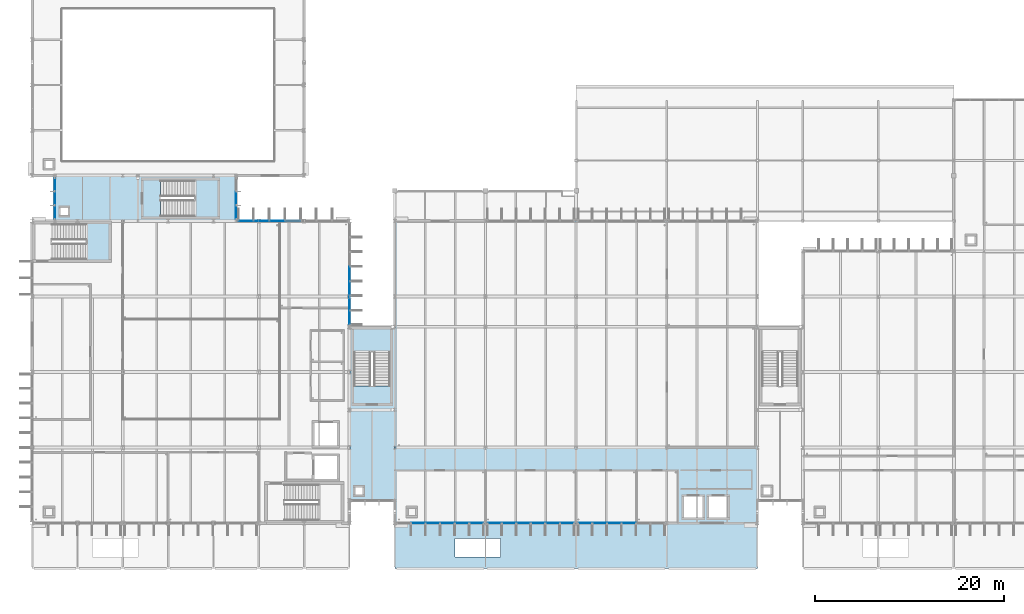
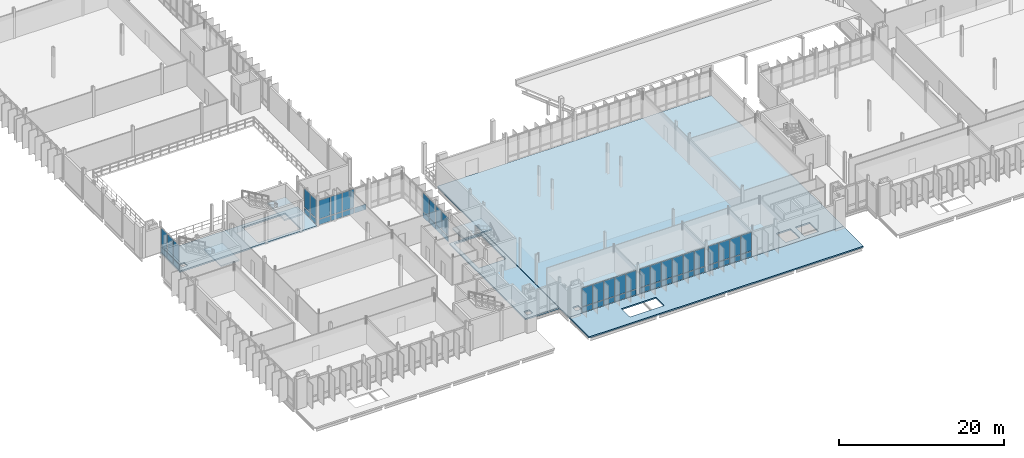
# One storey, part 47 of 107: 55 plates, 7 slabs, 10 elements without a shape of their own.
"""IFC4 building model written with IfcOpenShell, lengths in metres."""

from ifc_helpers import new_model, si_unit, direction, frame, origin, origin_2d, place, context, subcontext, project, spatial, polyline, rectangle, outline, extrude, material, layer, layer_set, type_object, element, aggregate, save


model = new_model("IFC4")

# Units and contexts
model_context = context("Model", 3, precision=1e-05, world=origin(), true_north=direction((0.0, 1.0)))
body_context = subcontext(model_context, "Body", "Model", "MODEL_VIEW")
ifc_project = project(units=[si_unit("LENGTHUNIT", "METRE"), si_unit("AREAUNIT", "SQUARE_METRE"), si_unit("VOLUMEUNIT", "CUBIC_METRE"), si_unit("PLANEANGLEUNIT", "RADIAN"), si_unit("MASSUNIT", "GRAM", prefix="KILO")], contexts=[model_context])

# Site, building, storey
site_placement = place(None, origin())
site = spatial("IfcSite", under=ifc_project, at=site_placement, CompositionType="ELEMENT")
building_placement = place(site_placement, origin())
building = spatial("IfcBuilding", under=site, at=building_placement, Name="Dunescarp Central Library", CompositionType="ELEMENT")
storey_placement = place(building_placement, frame((0.0, 0.0, 5.10009765625)))
storey = spatial("IfcBuildingStorey", under=building, at=storey_placement, Name="L01", CompositionType="ELEMENT", Elevation=5.10009765625)

# Curtain wall, plates
ifc_material_1 = material(Name="Marine-grade anodised aluminium 6063-T6", Category="aluminium")
curtain_wall_type_1 = type_object("IfcCurtainWallType", Name="ARC-CW-STICK", PredefinedType="NOTDEFINED", material=ifc_material_1)
curtain_wall_1_placement = place(storey_placement, origin())
curtain_wall_1 = element("IfcCurtainWall", 1, at=curtain_wall_1_placement, inside=storey, type_object=curtain_wall_type_1, Name="L01 curtain wall CW-V1-008", PredefinedType="NOTDEFINED")
ifc_material_2 = material(Name="Solar-control laminated double glazing", Category="glass")
ifc_layer_1 = layer(ifc_material_2, 0.028076171875)
ifc_layer_set_1 = layer_set([ifc_layer_1], Name="Solar-control laminated double glazing")
plate_type_1 = type_object("IfcPlateType", Name="ARC-PLT-GLZ28", PredefinedType="CURTAIN_PANEL", material=ifc_layer_set_1)
plate_1_placement = place(storey_placement, frame((22.627197265625, 36.800048828125, 0.93994140625), z_axis=(0.0, 0.0, 1.0), x_axis=(1.0, 0.0, 0.0)))
plate_1 = element("IfcPlate", 2, at=plate_1_placement, type_object=plate_type_1, Name="CW-V1-008 panel 1.2", PredefinedType="CURTAIN_PANEL", context=body_context, shape_type="SweptSolid", body=[
    extrude(rectangle(XDim=1.544189453125, YDim=0.028076171875, at=origin_2d()), origin(), (0.0, 0.0, 1.0), 2.7451171875),
])
plate_2_placement = place(storey_placement, frame((24.271484375, 36.800048828125, 0.93994140625), z_axis=(0.0, 0.0, 1.0), x_axis=(1.0, 0.0, 0.0)))
plate_2 = element("IfcPlate", 3, at=plate_2_placement, type_object=plate_type_1, Name="CW-V1-008 panel 2.2", PredefinedType="CURTAIN_PANEL", context=body_context, shape_type="SweptSolid", body=[
    extrude(rectangle(XDim=1.584228515625, YDim=0.028076171875, at=origin_2d()), origin(), (0.0, 0.0, 1.0), 2.7451171875),
])
plate_3_placement = place(storey_placement, frame((25.935791015625, 36.800048828125, 0.93994140625), z_axis=(0.0, 0.0, 1.0), x_axis=(1.0, 0.0, 0.0)))
plate_3 = element("IfcPlate", 4, at=plate_3_placement, type_object=plate_type_1, Name="CW-V1-008 panel 3.2", PredefinedType="CURTAIN_PANEL", context=body_context, shape_type="SweptSolid", body=[
    extrude(rectangle(XDim=1.584228515625, YDim=0.028076171875, at=origin_2d()), origin(), (0.0, 0.0, 1.0), 2.7451171875),
])

curtain_wall_2_placement = place(storey_placement, origin())
curtain_wall_2 = element("IfcCurtainWall", 5, at=curtain_wall_2_placement, inside=storey, type_object=curtain_wall_type_1, Name="L01 curtain wall CW-V1-011", PredefinedType="NOTDEFINED")
plate_4_placement = place(storey_placement, frame((33.60009765625, 31.199951171875, 0.93994140625), z_axis=(0.0, 0.0, 1.0), x_axis=(0.0, -1.0, 0.0)))
plate_4 = element("IfcPlate", 6, at=plate_4_placement, type_object=plate_type_1, Name="CW-V1-011 panel 4.2", PredefinedType="CURTAIN_PANEL", context=body_context, shape_type="SweptSolid", body=[
    extrude(rectangle(XDim=1.469970703125, YDim=0.028076171875, at=origin_2d()), origin(), (0.0, 0.0, 1.0), 2.7451171875),
])
plate_5_placement = place(storey_placement, frame((33.60009765625, 29.64990234375, 0.93994140625), z_axis=(0.0, 0.0, 1.0), x_axis=(0.0, -1.0, 0.0)))
plate_5 = element("IfcPlate", 7, at=plate_5_placement, type_object=plate_type_1, Name="CW-V1-011 panel 5.2", PredefinedType="CURTAIN_PANEL", context=body_context, shape_type="SweptSolid", body=[
    extrude(rectangle(XDim=1.469970703125, YDim=0.028076171875, at=origin_2d()), origin(), (0.0, 0.0, 1.0), 2.7451171875),
])
plate_6_placement = place(storey_placement, frame((33.60009765625, 28.10009765625, 0.93994140625), z_axis=(0.0, 0.0, 1.0), x_axis=(0.0, -1.0, 0.0)))
plate_6 = element("IfcPlate", 8, at=plate_6_placement, type_object=plate_type_1, Name="CW-V1-011 panel 6.2", PredefinedType="CURTAIN_PANEL", context=body_context, shape_type="SweptSolid", body=[
    extrude(rectangle(XDim=1.469970703125, YDim=0.028076171875, at=origin_2d()), origin(), (0.0, 0.0, 1.0), 2.7451171875),
])
plate_7_placement = place(storey_placement, frame((33.60009765625, 26.570068359375, 0.93994140625), z_axis=(0.0, 0.0, 1.0), x_axis=(0.0, -1.0, 0.0)))
plate_7 = element("IfcPlate", 9, at=plate_7_placement, type_object=plate_type_1, Name="CW-V1-011 panel 7.2", PredefinedType="CURTAIN_PANEL", context=body_context, shape_type="SweptSolid", body=[
    extrude(rectangle(XDim=1.429931640625, YDim=0.028076171875, at=origin_2d()), origin(), (0.0, 0.0, 1.0), 2.7451171875),
])

curtain_wall_3_placement = place(storey_placement, origin())
curtain_wall_3 = element("IfcCurtainWall", 10, at=curtain_wall_3_placement, inside=storey, type_object=curtain_wall_type_1, Name="L01 curtain wall CW-V2-048", PredefinedType="NOTDEFINED")
plate_8_placement = place(storey_placement, frame((47.0341796875, 4.800048828125, 0.93994140625), z_axis=(0.0, 0.0, 1.0), x_axis=(-1.0, 0.0, 0.0)))
plate_8 = element("IfcPlate", 11, at=plate_8_placement, type_object=plate_type_1, Name="CW-V2-048 panel 1.2", PredefinedType="CURTAIN_PANEL", context=body_context, shape_type="SweptSolid", body=[
    extrude(rectangle(XDim=1.421630859375, YDim=0.028076171875, at=origin_2d()), origin(), (0.0, 0.0, 1.0), 2.7451171875),
])
plate_9_placement = place(storey_placement, frame((45.512451171875, 4.800048828125, 0.93994140625), z_axis=(0.0, 0.0, 1.0), x_axis=(-1.0, 0.0, 0.0)))
plate_9 = element("IfcPlate", 12, at=plate_9_placement, type_object=plate_type_1, Name="CW-V2-048 panel 2.2", PredefinedType="CURTAIN_PANEL", context=body_context, shape_type="SweptSolid", body=[
    extrude(rectangle(XDim=1.461669921875, YDim=0.028076171875, at=origin_2d()), origin(), (0.0, 0.0, 1.0), 2.7451171875),
])
plate_10_placement = place(storey_placement, frame((43.970947265625, 4.800048828125, 0.93994140625), z_axis=(0.0, 0.0, 1.0), x_axis=(-1.0, 0.0, 0.0)))
plate_10 = element("IfcPlate", 13, at=plate_10_placement, type_object=plate_type_1, Name="CW-V2-048 panel 3.2", PredefinedType="CURTAIN_PANEL", context=body_context, shape_type="SweptSolid", body=[
    extrude(rectangle(XDim=1.461669921875, YDim=0.028076171875, at=origin_2d()), origin(), (0.0, 0.0, 1.0), 2.7451171875),
])
plate_11_placement = place(storey_placement, frame((42.42919921875, 4.800048828125, 0.93994140625), z_axis=(0.0, 0.0, 1.0), x_axis=(-1.0, 0.0, 0.0)))
plate_11 = element("IfcPlate", 14, at=plate_11_placement, type_object=plate_type_1, Name="CW-V2-048 panel 4.2", PredefinedType="CURTAIN_PANEL", context=body_context, shape_type="SweptSolid", body=[
    extrude(rectangle(XDim=1.461669921875, YDim=0.028076171875, at=origin_2d()), origin(), (0.0, 0.0, 1.0), 2.7451171875),
])
plate_12_placement = place(storey_placement, frame((40.887451171875, 4.800048828125, 0.93994140625), z_axis=(0.0, 0.0, 1.0), x_axis=(-1.0, 0.0, 0.0)))
plate_12 = element("IfcPlate", 15, at=plate_12_placement, type_object=plate_type_1, Name="CW-V2-048 panel 5.2", PredefinedType="CURTAIN_PANEL", context=body_context, shape_type="SweptSolid", body=[
    extrude(rectangle(XDim=1.461669921875, YDim=0.028076171875, at=origin_2d()), origin(), (0.0, 0.0, 1.0), 2.7451171875),
])

curtain_wall_4_placement = place(storey_placement, origin())
curtain_wall_4 = element("IfcCurtainWall", 16, at=curtain_wall_4_placement, inside=storey, type_object=curtain_wall_type_1, Name="L01 curtain wall CW-V2-049", PredefinedType="NOTDEFINED")
plate_13_placement = place(storey_placement, frame((56.63427734375, 4.800048828125, 0.93994140625), z_axis=(0.0, 0.0, 1.0), x_axis=(-1.0, 0.0, 0.0)))
plate_13 = element("IfcPlate", 17, at=plate_13_placement, type_object=plate_type_1, Name="CW-V2-049 panel 1.2", PredefinedType="CURTAIN_PANEL", context=body_context, shape_type="SweptSolid", body=[
    extrude(rectangle(XDim=1.421630859375, YDim=0.028076171875, at=origin_2d()), origin(), (0.0, 0.0, 1.0), 2.7451171875),
])
plate_14_placement = place(storey_placement, frame((55.112548828125, 4.800048828125, 0.93994140625), z_axis=(0.0, 0.0, 1.0), x_axis=(-1.0, 0.0, 0.0)))
plate_14 = element("IfcPlate", 18, at=plate_14_placement, type_object=plate_type_1, Name="CW-V2-049 panel 2.2", PredefinedType="CURTAIN_PANEL", context=body_context, shape_type="SweptSolid", body=[
    extrude(rectangle(XDim=1.461669921875, YDim=0.028076171875, at=origin_2d()), origin(), (0.0, 0.0, 1.0), 2.7451171875),
])
plate_15_placement = place(storey_placement, frame((53.57080078125, 4.800048828125, 0.93994140625), z_axis=(0.0, 0.0, 1.0), x_axis=(-1.0, 0.0, 0.0)))
plate_15 = element("IfcPlate", 19, at=plate_15_placement, type_object=plate_type_1, Name="CW-V2-049 panel 3.2", PredefinedType="CURTAIN_PANEL", context=body_context, shape_type="SweptSolid", body=[
    extrude(rectangle(XDim=1.461669921875, YDim=0.028076171875, at=origin_2d()), origin(), (0.0, 0.0, 1.0), 2.7451171875),
])
plate_16_placement = place(storey_placement, frame((52.029052734375, 4.800048828125, 0.93994140625), z_axis=(0.0, 0.0, 1.0), x_axis=(-1.0, 0.0, 0.0)))
plate_16 = element("IfcPlate", 20, at=plate_16_placement, type_object=plate_type_1, Name="CW-V2-049 panel 4.2", PredefinedType="CURTAIN_PANEL", context=body_context, shape_type="SweptSolid", body=[
    extrude(rectangle(XDim=1.461669921875, YDim=0.028076171875, at=origin_2d()), origin(), (0.0, 0.0, 1.0), 2.7451171875),
])
plate_17_placement = place(storey_placement, frame((50.487548828125, 4.800048828125, 0.93994140625), z_axis=(0.0, 0.0, 1.0), x_axis=(-1.0, 0.0, 0.0)))
plate_17 = element("IfcPlate", 21, at=plate_17_placement, type_object=plate_type_1, Name="CW-V2-049 panel 5.2", PredefinedType="CURTAIN_PANEL", context=body_context, shape_type="SweptSolid", body=[
    extrude(rectangle(XDim=1.461669921875, YDim=0.028076171875, at=origin_2d()), origin(), (0.0, 0.0, 1.0), 2.7451171875),
])
plate_18_placement = place(storey_placement, frame((48.9658203125, 4.800048828125, 0.93994140625), z_axis=(0.0, 0.0, 1.0), x_axis=(-1.0, 0.0, 0.0)))
plate_18 = element("IfcPlate", 22, at=plate_18_placement, type_object=plate_type_1, Name="CW-V2-049 panel 6.2", PredefinedType="CURTAIN_PANEL", context=body_context, shape_type="SweptSolid", body=[
    extrude(rectangle(XDim=1.421630859375, YDim=0.028076171875, at=origin_2d()), origin(), (0.0, 0.0, 1.0), 2.7451171875),
])

curtain_wall_5_placement = place(storey_placement, origin())
curtain_wall_5 = element("IfcCurtainWall", 23, at=curtain_wall_5_placement, inside=storey, type_object=curtain_wall_type_1, Name="L01 curtain wall CW-V2-050", PredefinedType="NOTDEFINED")
plate_19_placement = place(storey_placement, frame((63.1708984375, 4.800048828125, 0.93994140625), z_axis=(0.0, 0.0, 1.0), x_axis=(-1.0, 0.0, 0.0)))
plate_19 = element("IfcPlate", 24, at=plate_19_placement, type_object=plate_type_1, Name="CW-V2-050 panel 3.2", PredefinedType="CURTAIN_PANEL", context=body_context, shape_type="SweptSolid", body=[
    extrude(rectangle(XDim=1.461669921875, YDim=0.028076171875, at=origin_2d()), origin(), (0.0, 0.0, 1.0), 2.7451171875),
])
plate_20_placement = place(storey_placement, frame((61.629150390625, 4.800048828125, 0.93994140625), z_axis=(0.0, 0.0, 1.0), x_axis=(-1.0, 0.0, 0.0)))
plate_20 = element("IfcPlate", 25, at=plate_20_placement, type_object=plate_type_1, Name="CW-V2-050 panel 4.2", PredefinedType="CURTAIN_PANEL", context=body_context, shape_type="SweptSolid", body=[
    extrude(rectangle(XDim=1.461669921875, YDim=0.028076171875, at=origin_2d()), origin(), (0.0, 0.0, 1.0), 2.7451171875),
])
plate_21_placement = place(storey_placement, frame((60.08740234375, 4.800048828125, 0.93994140625), z_axis=(0.0, 0.0, 1.0), x_axis=(-1.0, 0.0, 0.0)))
plate_21 = element("IfcPlate", 26, at=plate_21_placement, type_object=plate_type_1, Name="CW-V2-050 panel 5.2", PredefinedType="CURTAIN_PANEL", context=body_context, shape_type="SweptSolid", body=[
    extrude(rectangle(XDim=1.461669921875, YDim=0.028076171875, at=origin_2d()), origin(), (0.0, 0.0, 1.0), 2.7451171875),
])
plate_22_placement = place(storey_placement, frame((58.56591796875, 4.800048828125, 0.93994140625), z_axis=(0.0, 0.0, 1.0), x_axis=(-1.0, 0.0, 0.0)))
plate_22 = element("IfcPlate", 27, at=plate_22_placement, type_object=plate_type_1, Name="CW-V2-050 panel 6.2", PredefinedType="CURTAIN_PANEL", context=body_context, shape_type="SweptSolid", body=[
    extrude(rectangle(XDim=1.421630859375, YDim=0.028076171875, at=origin_2d()), origin(), (0.0, 0.0, 1.0), 2.7451171875),
])

curtain_wall_type_2 = type_object("IfcCurtainWallType", Name="ARC-CW-LINK", PredefinedType="USERDEFINED", material=ifc_material_1)
curtain_wall_6_placement = place(storey_placement, origin())
curtain_wall_6 = element("IfcCurtainWall", 28, at=curtain_wall_6_placement, inside=storey, type_object=curtain_wall_type_2, Name="L01 curtain wall CW-GL4-W-L01", ObjectType="GLAZED_LINK_WALL", PredefinedType="USERDEFINED")
plate_23_placement = place(storey_placement, frame((2.39990234375, 37.736572265625, 0.93994140625), z_axis=(0.0, 0.0, 1.0), x_axis=(0.0, 1.0, 0.0)))
plate_23 = element("IfcPlate", 29, at=plate_23_placement, type_object=plate_type_1, Name="CW-GL4-W-L01 panel 1.2", PredefinedType="CURTAIN_PANEL", context=body_context, shape_type="SweptSolid", body=[
    extrude(rectangle(XDim=1.36328125, YDim=0.028076171875, at=origin_2d()), origin(), (0.0, 0.0, 1.0), 2.7451171875),
])
plate_24_placement = place(storey_placement, frame((2.39990234375, 39.199951171875, 0.93994140625), z_axis=(0.0, 0.0, 1.0), x_axis=(0.0, 1.0, 0.0)))
plate_24 = element("IfcPlate", 30, at=plate_24_placement, type_object=plate_type_1, Name="CW-GL4-W-L01 panel 2.2", PredefinedType="CURTAIN_PANEL", context=body_context, shape_type="SweptSolid", body=[
    extrude(rectangle(XDim=1.4033203125, YDim=0.028076171875, at=origin_2d()), origin(), (0.0, 0.0, 1.0), 2.7451171875),
])
plate_25_placement = place(storey_placement, frame((2.39990234375, 40.663330078125, 0.93994140625), z_axis=(0.0, 0.0, 1.0), x_axis=(0.0, 1.0, 0.0)))
plate_25 = element("IfcPlate", 31, at=plate_25_placement, type_object=plate_type_1, Name="CW-GL4-W-L01 panel 3.2", PredefinedType="CURTAIN_PANEL", context=body_context, shape_type="SweptSolid", body=[
    extrude(rectangle(XDim=1.36328125, YDim=0.028076171875, at=origin_2d()), origin(), (0.0, 0.0, 1.0), 2.7451171875),
])

curtain_wall_7_placement = place(storey_placement, origin())
curtain_wall_7 = element("IfcCurtainWall", 32, at=curtain_wall_7_placement, inside=storey, type_object=curtain_wall_type_2, Name="L01 curtain wall CW-GL4-E-L01", ObjectType="GLAZED_LINK_WALL", PredefinedType="USERDEFINED")
plate_26_placement = place(storey_placement, frame((21.60009765625, 39.199951171875, 0.93994140625), z_axis=(0.0, 0.0, 1.0), x_axis=(0.0, -1.0, 0.0)))
plate_26 = element("IfcPlate", 33, at=plate_26_placement, type_object=plate_type_1, Name="CW-GL4-E-L01 panel 2.2", PredefinedType="CURTAIN_PANEL", context=body_context, shape_type="SweptSolid", body=[
    extrude(rectangle(XDim=1.4033203125, YDim=0.028076171875, at=origin_2d()), origin(), (0.0, 0.0, 1.0), 2.7451171875),
])
plate_27_placement = place(storey_placement, frame((21.60009765625, 37.736572265625, 0.93994140625), z_axis=(0.0, 0.0, 1.0), x_axis=(0.0, -1.0, 0.0)))
plate_27 = element("IfcPlate", 34, at=plate_27_placement, type_object=plate_type_1, Name="CW-GL4-E-L01 panel 3.2", PredefinedType="CURTAIN_PANEL", context=body_context, shape_type="SweptSolid", body=[
    extrude(rectangle(XDim=1.36328125, YDim=0.028076171875, at=origin_2d()), origin(), (0.0, 0.0, 1.0), 2.7451171875),
])

# Plate
ifc_layer_2 = layer(ifc_material_1, 0.050048828125)
ifc_layer_set_2 = layer_set([ifc_layer_2], Name="Marine-grade anodised aluminium 6063-T6")
plate_type_2 = type_object("IfcPlateType", Name="ARC-PLT-SPN50", PredefinedType="SHEET", material=ifc_layer_set_2)
plate_28_placement = place(storey_placement, frame((22.627197265625, 36.800048828125, 0.080078125), z_axis=(0.0, 0.0, 1.0), x_axis=(1.0, 0.0, 0.0)))
plate_28 = element("IfcPlate", 35, at=plate_28_placement, type_object=plate_type_2, Name="CW-V1-008 panel 1.1", PredefinedType="SHEET", context=body_context, shape_type="SweptSolid", body=[
    extrude(rectangle(XDim=1.544189453125, YDim=0.050048828125, at=origin_2d()), origin(), (0.0, 0.0, 1.0), 0.780029296875),
])

plate_29_placement = place(storey_placement, frame((24.271484375, 36.800048828125, 0.080078125), z_axis=(0.0, 0.0, 1.0), x_axis=(1.0, 0.0, 0.0)))
plate_29 = element("IfcPlate", 36, at=plate_29_placement, type_object=plate_type_2, Name="CW-V1-008 panel 2.1", PredefinedType="SHEET", context=body_context, shape_type="SweptSolid", body=[
    extrude(rectangle(XDim=1.584228515625, YDim=0.050048828125, at=origin_2d()), origin(), (0.0, 0.0, 1.0), 0.780029296875),
])

plate_30_placement = place(storey_placement, frame((25.935791015625, 36.800048828125, 0.080078125), z_axis=(0.0, 0.0, 1.0), x_axis=(1.0, 0.0, 0.0)))
plate_30 = element("IfcPlate", 37, at=plate_30_placement, type_object=plate_type_2, Name="CW-V1-008 panel 3.1", PredefinedType="SHEET", context=body_context, shape_type="SweptSolid", body=[
    extrude(rectangle(XDim=1.584228515625, YDim=0.050048828125, at=origin_2d()), origin(), (0.0, 0.0, 1.0), 0.780029296875),
])

plate_31_placement = place(storey_placement, frame((27.60009765625, 36.800048828125, 0.080078125), z_axis=(0.0, 0.0, 1.0), x_axis=(1.0, 0.0, 0.0)))
plate_31 = element("IfcPlate", 38, at=plate_31_placement, type_object=plate_type_2, Name="CW-V1-008 panel 4.1", PredefinedType="SHEET", context=body_context, shape_type="SweptSolid", body=[
    extrude(rectangle(XDim=1.584228515625, YDim=0.050048828125, at=origin_2d()), origin(), (0.0, 0.0, 1.0), 0.780029296875),
])

aggregate(curtain_wall_1, [plate_28, plate_1, plate_29, plate_2, plate_30, plate_3, plate_31])

plate_32_placement = place(storey_placement, frame((33.60009765625, 31.199951171875, 0.080078125), z_axis=(0.0, 0.0, 1.0), x_axis=(0.0, -1.0, 0.0)))
plate_32 = element("IfcPlate", 39, at=plate_32_placement, type_object=plate_type_2, Name="CW-V1-011 panel 4.1", PredefinedType="SHEET", context=body_context, shape_type="SweptSolid", body=[
    extrude(rectangle(XDim=1.469970703125, YDim=0.050048828125, at=origin_2d()), origin(), (0.0, 0.0, 1.0), 0.780029296875),
])

plate_33_placement = place(storey_placement, frame((33.60009765625, 29.64990234375, 0.080078125), z_axis=(0.0, 0.0, 1.0), x_axis=(0.0, -1.0, 0.0)))
plate_33 = element("IfcPlate", 40, at=plate_33_placement, type_object=plate_type_2, Name="CW-V1-011 panel 5.1", PredefinedType="SHEET", context=body_context, shape_type="SweptSolid", body=[
    extrude(rectangle(XDim=1.469970703125, YDim=0.050048828125, at=origin_2d()), origin(), (0.0, 0.0, 1.0), 0.780029296875),
])

plate_34_placement = place(storey_placement, frame((33.60009765625, 28.10009765625, 0.080078125), z_axis=(0.0, 0.0, 1.0), x_axis=(0.0, -1.0, 0.0)))
plate_34 = element("IfcPlate", 41, at=plate_34_placement, type_object=plate_type_2, Name="CW-V1-011 panel 6.1", PredefinedType="SHEET", context=body_context, shape_type="SweptSolid", body=[
    extrude(rectangle(XDim=1.469970703125, YDim=0.050048828125, at=origin_2d()), origin(), (0.0, 0.0, 1.0), 0.780029296875),
])

plate_35_placement = place(storey_placement, frame((33.60009765625, 26.570068359375, 0.080078125), z_axis=(0.0, 0.0, 1.0), x_axis=(0.0, -1.0, 0.0)))
plate_35 = element("IfcPlate", 42, at=plate_35_placement, type_object=plate_type_2, Name="CW-V1-011 panel 7.1", PredefinedType="SHEET", context=body_context, shape_type="SweptSolid", body=[
    extrude(rectangle(XDim=1.429931640625, YDim=0.050048828125, at=origin_2d()), origin(), (0.0, 0.0, 1.0), 0.780029296875),
])

aggregate(curtain_wall_2, [plate_32, plate_4, plate_33, plate_5, plate_34, plate_6, plate_35, plate_7])

plate_36_placement = place(storey_placement, frame((47.0341796875, 4.800048828125, 0.080078125), z_axis=(0.0, 0.0, 1.0), x_axis=(-1.0, 0.0, 0.0)))
plate_36 = element("IfcPlate", 43, at=plate_36_placement, type_object=plate_type_2, Name="CW-V2-048 panel 1.1", PredefinedType="SHEET", context=body_context, shape_type="SweptSolid", body=[
    extrude(rectangle(XDim=1.421630859375, YDim=0.050048828125, at=origin_2d()), origin(), (0.0, 0.0, 1.0), 0.780029296875),
])

plate_37_placement = place(storey_placement, frame((45.512451171875, 4.800048828125, 0.080078125), z_axis=(0.0, 0.0, 1.0), x_axis=(-1.0, 0.0, 0.0)))
plate_37 = element("IfcPlate", 44, at=plate_37_placement, type_object=plate_type_2, Name="CW-V2-048 panel 2.1", PredefinedType="SHEET", context=body_context, shape_type="SweptSolid", body=[
    extrude(rectangle(XDim=1.461669921875, YDim=0.050048828125, at=origin_2d()), origin(), (0.0, 0.0, 1.0), 0.780029296875),
])

plate_38_placement = place(storey_placement, frame((43.970947265625, 4.800048828125, 0.080078125), z_axis=(0.0, 0.0, 1.0), x_axis=(-1.0, 0.0, 0.0)))
plate_38 = element("IfcPlate", 45, at=plate_38_placement, type_object=plate_type_2, Name="CW-V2-048 panel 3.1", PredefinedType="SHEET", context=body_context, shape_type="SweptSolid", body=[
    extrude(rectangle(XDim=1.461669921875, YDim=0.050048828125, at=origin_2d()), origin(), (0.0, 0.0, 1.0), 0.780029296875),
])

plate_39_placement = place(storey_placement, frame((42.42919921875, 4.800048828125, 0.080078125), z_axis=(0.0, 0.0, 1.0), x_axis=(-1.0, 0.0, 0.0)))
plate_39 = element("IfcPlate", 46, at=plate_39_placement, type_object=plate_type_2, Name="CW-V2-048 panel 4.1", PredefinedType="SHEET", context=body_context, shape_type="SweptSolid", body=[
    extrude(rectangle(XDim=1.461669921875, YDim=0.050048828125, at=origin_2d()), origin(), (0.0, 0.0, 1.0), 0.780029296875),
])

plate_40_placement = place(storey_placement, frame((40.887451171875, 4.800048828125, 0.080078125), z_axis=(0.0, 0.0, 1.0), x_axis=(-1.0, 0.0, 0.0)))
plate_40 = element("IfcPlate", 47, at=plate_40_placement, type_object=plate_type_2, Name="CW-V2-048 panel 5.1", PredefinedType="SHEET", context=body_context, shape_type="SweptSolid", body=[
    extrude(rectangle(XDim=1.461669921875, YDim=0.050048828125, at=origin_2d()), origin(), (0.0, 0.0, 1.0), 0.780029296875),
])

aggregate(curtain_wall_3, [plate_36, plate_8, plate_37, plate_9, plate_38, plate_10, plate_39, plate_11, plate_40, plate_12])

plate_41_placement = place(storey_placement, frame((56.63427734375, 4.800048828125, 0.080078125), z_axis=(0.0, 0.0, 1.0), x_axis=(-1.0, 0.0, 0.0)))
plate_41 = element("IfcPlate", 48, at=plate_41_placement, type_object=plate_type_2, Name="CW-V2-049 panel 1.1", PredefinedType="SHEET", context=body_context, shape_type="SweptSolid", body=[
    extrude(rectangle(XDim=1.421630859375, YDim=0.050048828125, at=origin_2d()), origin(), (0.0, 0.0, 1.0), 0.780029296875),
])

plate_42_placement = place(storey_placement, frame((55.112548828125, 4.800048828125, 0.080078125), z_axis=(0.0, 0.0, 1.0), x_axis=(-1.0, 0.0, 0.0)))
plate_42 = element("IfcPlate", 49, at=plate_42_placement, type_object=plate_type_2, Name="CW-V2-049 panel 2.1", PredefinedType="SHEET", context=body_context, shape_type="SweptSolid", body=[
    extrude(rectangle(XDim=1.461669921875, YDim=0.050048828125, at=origin_2d()), origin(), (0.0, 0.0, 1.0), 0.780029296875),
])

plate_43_placement = place(storey_placement, frame((53.57080078125, 4.800048828125, 0.080078125), z_axis=(0.0, 0.0, 1.0), x_axis=(-1.0, 0.0, 0.0)))
plate_43 = element("IfcPlate", 50, at=plate_43_placement, type_object=plate_type_2, Name="CW-V2-049 panel 3.1", PredefinedType="SHEET", context=body_context, shape_type="SweptSolid", body=[
    extrude(rectangle(XDim=1.461669921875, YDim=0.050048828125, at=origin_2d()), origin(), (0.0, 0.0, 1.0), 0.780029296875),
])

plate_44_placement = place(storey_placement, frame((52.029052734375, 4.800048828125, 0.080078125), z_axis=(0.0, 0.0, 1.0), x_axis=(-1.0, 0.0, 0.0)))
plate_44 = element("IfcPlate", 51, at=plate_44_placement, type_object=plate_type_2, Name="CW-V2-049 panel 4.1", PredefinedType="SHEET", context=body_context, shape_type="SweptSolid", body=[
    extrude(rectangle(XDim=1.461669921875, YDim=0.050048828125, at=origin_2d()), origin(), (0.0, 0.0, 1.0), 0.780029296875),
])

plate_45_placement = place(storey_placement, frame((50.487548828125, 4.800048828125, 0.080078125), z_axis=(0.0, 0.0, 1.0), x_axis=(-1.0, 0.0, 0.0)))
plate_45 = element("IfcPlate", 52, at=plate_45_placement, type_object=plate_type_2, Name="CW-V2-049 panel 5.1", PredefinedType="SHEET", context=body_context, shape_type="SweptSolid", body=[
    extrude(rectangle(XDim=1.461669921875, YDim=0.050048828125, at=origin_2d()), origin(), (0.0, 0.0, 1.0), 0.780029296875),
])

plate_46_placement = place(storey_placement, frame((48.9658203125, 4.800048828125, 0.080078125), z_axis=(0.0, 0.0, 1.0), x_axis=(-1.0, 0.0, 0.0)))
plate_46 = element("IfcPlate", 53, at=plate_46_placement, type_object=plate_type_2, Name="CW-V2-049 panel 6.1", PredefinedType="SHEET", context=body_context, shape_type="SweptSolid", body=[
    extrude(rectangle(XDim=1.421630859375, YDim=0.050048828125, at=origin_2d()), origin(), (0.0, 0.0, 1.0), 0.780029296875),
])

aggregate(curtain_wall_4, [plate_41, plate_13, plate_42, plate_14, plate_43, plate_15, plate_44, plate_16, plate_45, plate_17, plate_46, plate_18])

plate_47_placement = place(storey_placement, frame((63.1708984375, 4.800048828125, 0.080078125), z_axis=(0.0, 0.0, 1.0), x_axis=(-1.0, 0.0, 0.0)))
plate_47 = element("IfcPlate", 54, at=plate_47_placement, type_object=plate_type_2, Name="CW-V2-050 panel 3.1", PredefinedType="SHEET", context=body_context, shape_type="SweptSolid", body=[
    extrude(rectangle(XDim=1.461669921875, YDim=0.050048828125, at=origin_2d()), origin(), (0.0, 0.0, 1.0), 0.780029296875),
])

plate_48_placement = place(storey_placement, frame((61.629150390625, 4.800048828125, 0.080078125), z_axis=(0.0, 0.0, 1.0), x_axis=(-1.0, 0.0, 0.0)))
plate_48 = element("IfcPlate", 55, at=plate_48_placement, type_object=plate_type_2, Name="CW-V2-050 panel 4.1", PredefinedType="SHEET", context=body_context, shape_type="SweptSolid", body=[
    extrude(rectangle(XDim=1.461669921875, YDim=0.050048828125, at=origin_2d()), origin(), (0.0, 0.0, 1.0), 0.780029296875),
])

plate_49_placement = place(storey_placement, frame((60.08740234375, 4.800048828125, 0.080078125), z_axis=(0.0, 0.0, 1.0), x_axis=(-1.0, 0.0, 0.0)))
plate_49 = element("IfcPlate", 56, at=plate_49_placement, type_object=plate_type_2, Name="CW-V2-050 panel 5.1", PredefinedType="SHEET", context=body_context, shape_type="SweptSolid", body=[
    extrude(rectangle(XDim=1.461669921875, YDim=0.050048828125, at=origin_2d()), origin(), (0.0, 0.0, 1.0), 0.780029296875),
])

plate_50_placement = place(storey_placement, frame((58.56591796875, 4.800048828125, 0.080078125), z_axis=(0.0, 0.0, 1.0), x_axis=(-1.0, 0.0, 0.0)))
plate_50 = element("IfcPlate", 57, at=plate_50_placement, type_object=plate_type_2, Name="CW-V2-050 panel 6.1", PredefinedType="SHEET", context=body_context, shape_type="SweptSolid", body=[
    extrude(rectangle(XDim=1.421630859375, YDim=0.050048828125, at=origin_2d()), origin(), (0.0, 0.0, 1.0), 0.780029296875),
])

aggregate(curtain_wall_5, [plate_47, plate_19, plate_48, plate_20, plate_49, plate_21, plate_50, plate_22])

plate_51_placement = place(storey_placement, frame((2.39990234375, 37.736572265625, 0.080078125), z_axis=(0.0, 0.0, 1.0), x_axis=(0.0, 1.0, 0.0)))
plate_51 = element("IfcPlate", 58, at=plate_51_placement, type_object=plate_type_2, Name="CW-GL4-W-L01 panel 1.1", PredefinedType="SHEET", context=body_context, shape_type="SweptSolid", body=[
    extrude(rectangle(XDim=1.36328125, YDim=0.050048828125, at=origin_2d()), origin(), (0.0, 0.0, 1.0), 0.780029296875),
])

plate_52_placement = place(storey_placement, frame((2.39990234375, 39.199951171875, 0.080078125), z_axis=(0.0, 0.0, 1.0), x_axis=(0.0, 1.0, 0.0)))
plate_52 = element("IfcPlate", 59, at=plate_52_placement, type_object=plate_type_2, Name="CW-GL4-W-L01 panel 2.1", PredefinedType="SHEET", context=body_context, shape_type="SweptSolid", body=[
    extrude(rectangle(XDim=1.4033203125, YDim=0.050048828125, at=origin_2d()), origin(), (0.0, 0.0, 1.0), 0.780029296875),
])

plate_53_placement = place(storey_placement, frame((2.39990234375, 40.663330078125, 0.080078125), z_axis=(0.0, 0.0, 1.0), x_axis=(0.0, 1.0, 0.0)))
plate_53 = element("IfcPlate", 60, at=plate_53_placement, type_object=plate_type_2, Name="CW-GL4-W-L01 panel 3.1", PredefinedType="SHEET", context=body_context, shape_type="SweptSolid", body=[
    extrude(rectangle(XDim=1.36328125, YDim=0.050048828125, at=origin_2d()), origin(), (0.0, 0.0, 1.0), 0.780029296875),
])

aggregate(curtain_wall_6, [plate_51, plate_23, plate_52, plate_24, plate_53, plate_25])

plate_54_placement = place(storey_placement, frame((21.60009765625, 39.199951171875, 0.080078125), z_axis=(0.0, 0.0, 1.0), x_axis=(0.0, -1.0, 0.0)))
plate_54 = element("IfcPlate", 61, at=plate_54_placement, type_object=plate_type_2, Name="CW-GL4-E-L01 panel 2.1", PredefinedType="SHEET", context=body_context, shape_type="SweptSolid", body=[
    extrude(rectangle(XDim=1.4033203125, YDim=0.050048828125, at=origin_2d()), origin(), (0.0, 0.0, 1.0), 0.780029296875),
])

plate_55_placement = place(storey_placement, frame((21.60009765625, 37.736572265625, 0.080078125), z_axis=(0.0, 0.0, 1.0), x_axis=(0.0, -1.0, 0.0)))
plate_55 = element("IfcPlate", 62, at=plate_55_placement, type_object=plate_type_2, Name="CW-GL4-E-L01 panel 3.1", PredefinedType="SHEET", context=body_context, shape_type="SweptSolid", body=[
    extrude(rectangle(XDim=1.36328125, YDim=0.050048828125, at=origin_2d()), origin(), (0.0, 0.0, 1.0), 0.780029296875),
])

aggregate(curtain_wall_7, [plate_54, plate_26, plate_55, plate_27])

# Stair, slab
ifc_material_3 = material(Name="Concrete C35/45", Category="concrete")
stair_type = type_object("IfcStairType", Name="ARC-STR-TYP", PredefinedType="HALF_TURN_STAIR", material=ifc_material_3)
stair_1_placement = place(storey_placement, origin())
stair_1 = element("IfcStair", 63, at=stair_1_placement, inside=storey, type_object=stair_type, Name="L01 Protected escape stair ST-6", PredefinedType="HALF_TURN_STAIR")
ifc_layer_3 = layer(ifc_material_3, 0.199951171875)
ifc_layer_set_3 = layer_set([ifc_layer_3], Name="Concrete C35/45")
slab_type_1 = type_object("IfcSlabType", Name="STR-SLB-LAND200", PredefinedType="LANDING", material=ifc_layer_set_3)
slab_1_placement = place(storey_placement, frame((0.0, 0.0, 2.0498046875)))
slab_1 = element("IfcSlab", 64, at=slab_1_placement, type_object=slab_type_1, Name="ST-6 landing 1", PredefinedType="LANDING", context=body_context, shape_type="SweptSolid", body=[
    extrude(outline(polyline([(5.68505859375, 32.550048828125), (8.25, 32.550048828125), (8.25, 36.64990234375), (5.68505859375, 36.64990234375), (5.68505859375, 32.550048828125)])), origin(), (0.0, 0.0, 1.0), 0.2001953125),
])
aggregate(stair_1, [slab_1])

stair_2_placement = place(storey_placement, origin())
stair_2 = element("IfcStair", 65, at=stair_2_placement, inside=storey, type_object=stair_type, Name="L01 Protected escape stair ST-2", PredefinedType="HALF_TURN_STAIR")
slab_2_placement = place(storey_placement, frame((0.0, 0.0, 2.0498046875)))
slab_2 = element("IfcSlab", 66, at=slab_2_placement, type_object=slab_type_1, Name="ST-2 landing 1", PredefinedType="LANDING", context=body_context, shape_type="SweptSolid", body=[
    extrude(outline(polyline([(33.949951171875, 22.885009765625), (38.050048828125, 22.885009765625), (38.050048828125, 25.449951171875), (33.949951171875, 25.449951171875), (33.949951171875, 22.885009765625)])), origin(), (0.0, 0.0, 1.0), 0.2001953125),
])
aggregate(stair_2, [slab_2])

stair_3_placement = place(storey_placement, origin())
stair_3 = element("IfcStair", 67, at=stair_3_placement, inside=storey, type_object=stair_type, Name="L01 Protected escape stair ST-4", PredefinedType="HALF_TURN_STAIR")
slab_3_placement = place(storey_placement, frame((0.0, 0.0, 2.0498046875)))
slab_3 = element("IfcSlab", 68, at=slab_3_placement, type_object=slab_type_1, Name="ST-4 landing 1", PredefinedType="LANDING", context=body_context, shape_type="SweptSolid", body=[
    extrude(outline(polyline([(17.18505859375, 37.14990234375), (19.75, 37.14990234375), (19.75, 41.25), (17.18505859375, 41.25), (17.18505859375, 37.14990234375)])), origin(), (0.0, 0.0, 1.0), 0.2001953125),
])
aggregate(stair_3, [slab_3])

# Slabs
ifc_layer_4 = layer(ifc_material_3, 0.199951171875)
ifc_layer_set_4 = layer_set([ifc_layer_4], Name="Concrete C35/45")
slab_type_2 = type_object("IfcSlabType", Name="STR-SLB-ROOF200", PredefinedType="ROOF", material=ifc_layer_set_4)
slab_4_placement = place(storey_placement, frame((0.0, 0.0, -0.2001953125)))
element("IfcSlab", 69, at=slab_4_placement, inside=storey, type_object=slab_type_2, Name="South street colonnade canopy roof COL-S2", PredefinedType="ROOF", context=body_context, shape_type="SweptSolid", body=[
    extrude(outline(polyline([(38.39990234375, 0.0), (76.800048828125, 0.0), (76.800048828125, 4.800048828125), (38.39990234375, 4.800048828125), (38.39990234375, 0.0)]), holes=[polyline([(44.800048828125, 1.199951171875), (49.60009765625, 1.199951171875), (49.60009765625, 3.199951171875), (44.800048828125, 3.199951171875), (44.800048828125, 1.199951171875)])]), origin(), (0.0, 0.0, 1.0), 0.2001953125),
])
ifc_layer_5 = layer(ifc_material_3, 0.219970703125)
ifc_layer_set_5 = layer_set([ifc_layer_5], Name="Concrete C35/45")
slab_type_3 = type_object("IfcSlabType", Name="STR-SLB-STACK220", PredefinedType="FLOOR", material=ifc_layer_set_5)
slab_5_placement = place(storey_placement, frame((0.0, 0.0, -0.22021484375)))
element("IfcSlab", 70, at=slab_5_placement, inside=storey, type_object=slab_type_3, Name="L01 V2 slab", PredefinedType="FLOOR", context=body_context, shape_type="SweptSolid", body=[
    extrude(outline(polyline([(38.39990234375, 4.800048828125), (76.800048828125, 4.800048828125), (76.800048828125, 36.800048828125), (38.39990234375, 36.800048828125), (38.39990234375, 4.800048828125)]), holes=[polyline([(69.0, 5.39990234375), (71.0, 5.39990234375), (71.0, 7.60009765625), (69.0, 7.60009765625), (69.0, 5.39990234375)]), polyline([(71.64990234375, 5.39990234375), (73.64990234375, 5.39990234375), (73.64990234375, 7.60009765625), (71.64990234375, 7.60009765625), (71.64990234375, 5.39990234375)]), polyline([(39.800048828125, 5.60009765625), (40.60009765625, 5.60009765625), (40.60009765625, 6.39990234375), (39.800048828125, 6.39990234375), (39.800048828125, 5.60009765625)])]), origin(), (0.0, 0.0, 1.0), 0.22021484375),
])
slab_6_placement = place(storey_placement, frame((0.0, 0.0, -0.22021484375)))
element("IfcSlab", 71, at=slab_6_placement, inside=storey, type_object=slab_type_3, Name="L01 GL1 slab", PredefinedType="FLOOR", context=body_context, shape_type="SweptSolid", body=[
    extrude(outline(polyline([(33.64990234375, 7.199951171875), (38.35009765625, 7.199951171875), (38.35009765625, 25.60009765625), (33.64990234375, 25.60009765625), (33.64990234375, 7.199951171875)]), holes=[polyline([(34.10009765625, 19.31494140625), (37.89990234375, 19.31494140625), (37.89990234375, 25.300048828125), (34.10009765625, 25.300048828125), (34.10009765625, 19.31494140625)]), polyline([(34.199951171875, 7.800048828125), (35.0, 7.800048828125), (35.0, 8.60009765625), (34.199951171875, 8.60009765625), (34.199951171875, 7.800048828125)])]), origin(), (0.0, 0.0, 1.0), 0.22021484375),
])
slab_7_placement = place(storey_placement, frame((0.0, 0.0, -0.22021484375)))
element("IfcSlab", 72, at=slab_7_placement, inside=storey, type_object=slab_type_3, Name="L01 GL4 slab", PredefinedType="FLOOR", context=body_context, shape_type="SweptSolid", body=[
    extrude(outline(polyline([(2.39990234375, 36.85009765625), (21.60009765625, 36.85009765625), (21.60009765625, 41.550048828125), (2.39990234375, 41.550048828125), (2.39990234375, 36.85009765625)]), holes=[polyline([(13.614990234375, 37.300048828125), (19.60009765625, 37.300048828125), (19.60009765625, 41.10009765625), (13.614990234375, 41.10009765625), (13.614990234375, 37.300048828125)]), polyline([(3.0, 37.39990234375), (3.800048828125, 37.39990234375), (3.800048828125, 38.199951171875), (3.0, 38.199951171875), (3.0, 37.39990234375)])]), origin(), (0.0, 0.0, 1.0), 0.22021484375),
])

save(model, "model.ifc")
